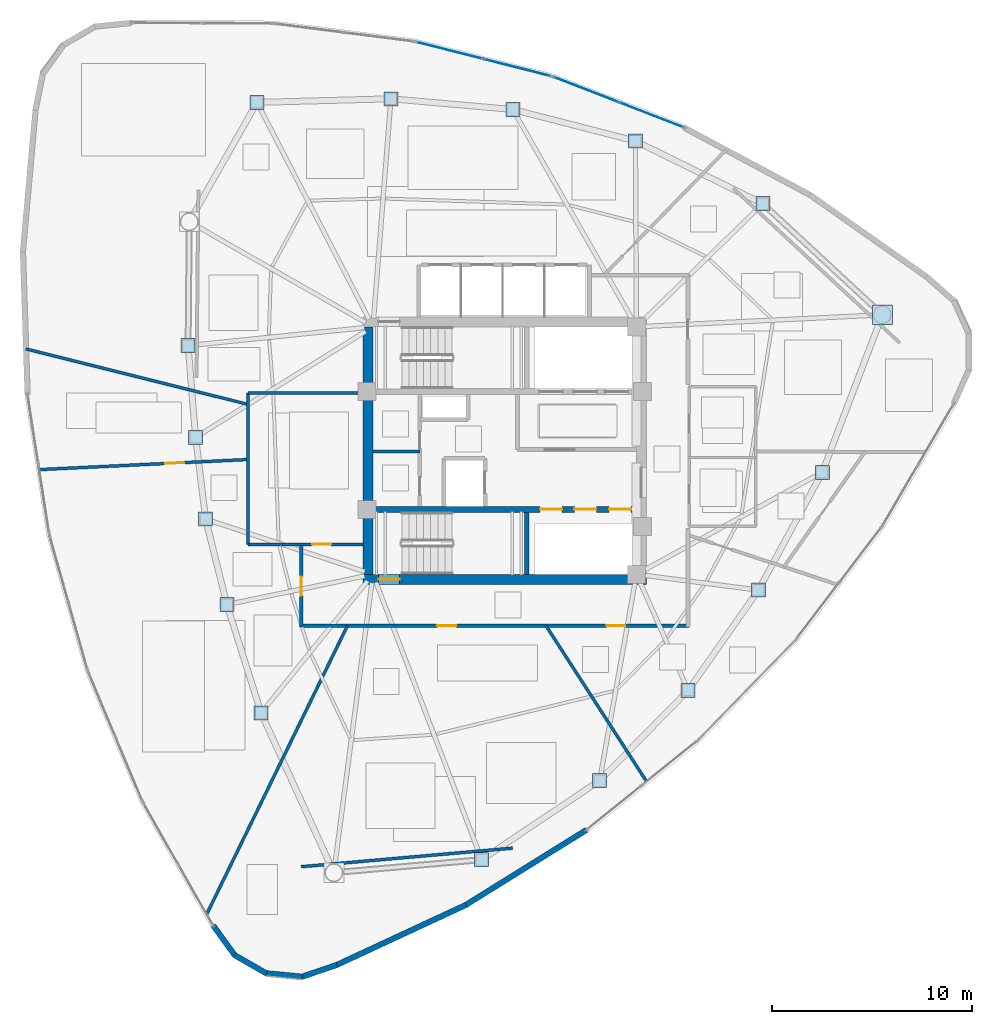
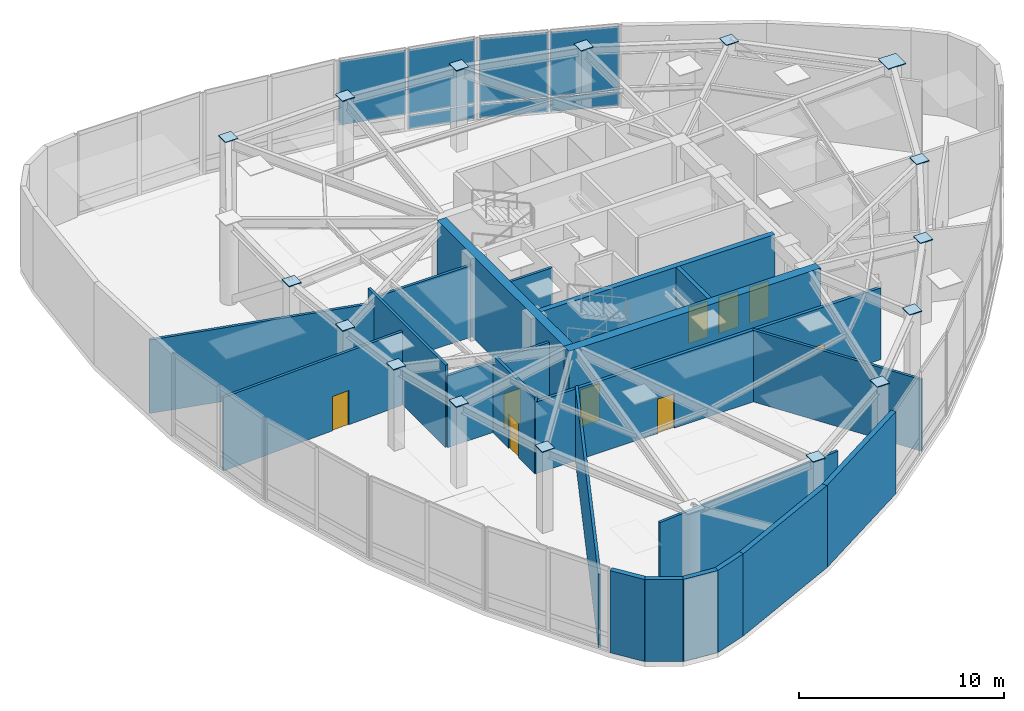
# One storey, part 8 of 12: 23 plates, 21 walls, 9 doors, 9 openings, 2 elements without a shape of their own.
"""IFC4 building model written with IfcOpenShell, lengths in metres."""

import ifcopenshell
import ifcopenshell.guid

model = None  # the IFC model being written
_history = None  # IfcOwnerHistory: only IFC2X3 demands one
_inside = {}  # id of a spatial element -> (the spatial element, [elements in it])
_under = {}  # id of a project, library or spatial element -> (it, [spatial elements below it])
_declared = {}  # id of a project -> (the project, [libraries it declares])
_typed = {}  # id of a type object -> (the type object, [elements of that type])
_made_of = {}  # id of a material, layer set ... -> (it, [elements and type objects made of it])


def new_model(schema):
    """Start an empty IFC model of exactly this schema.

    Asked for "IFC4X3", IfcOpenShell would pick the latest addendum, in which some entities
    have other attributes; the version numbers below select the first issue.
    IFC2X3 requires an IfcOwnerHistory on every rooted entity: one is made here for all.
    """
    global model, _history
    if schema == "IFC4X3":
        model = ifcopenshell.file(schema_version=(4, 3, 0, 0))
    else:
        model = ifcopenshell.file(schema=schema)
    _inside.clear()
    _under.clear()
    _declared.clear()
    _typed.clear()
    _made_of.clear()
    _history = None
    if model.schema == "IFC2X3":
        org = make("IfcOrganization", Name="unknown")
        user = make(
            "IfcPersonAndOrganization",
            ThePerson=make("IfcPerson", FamilyName="unknown"),
            TheOrganization=org,
        )
        app = make(
            "IfcApplication",
            ApplicationDeveloper=org,
            Version="unknown",
            ApplicationFullName="unknown",
            ApplicationIdentifier="unknown",
        )
        _history = make(
            "IfcOwnerHistory",
            OwningUser=user,
            OwningApplication=app,
            ChangeAction="ADDED",
            CreationDate=0,
        )
    return model


def make(cls, **values):
    """One entity of the class cls with the attributes given. An attribute that is None is left unset."""
    return model.create_entity(
        cls, **{name: value for name, value in values.items() if value is not None}
    )


def rooted(cls, **values):
    """An entity with a GlobalId (a new one), such as an element, a storey or a relation."""
    return make(cls, GlobalId=ifcopenshell.guid.new(), OwnerHistory=_history, **values)


def si_unit(unit_type, name, prefix=None):
    """IfcSIUnit, for example si_unit("LENGTHUNIT", "METRE", prefix="MILLI")."""
    return make("IfcSIUnit", UnitType=unit_type, Prefix=prefix, Name=name)


def assignment(units):
    """IfcUnitAssignment: the units of a project."""
    return None if units is None else make("IfcUnitAssignment", Units=units)


def point(xyz):
    """IfcCartesianPoint."""
    return None if xyz is None else make("IfcCartesianPoint", Coordinates=xyz)


def direction(xyz):
    """IfcDirection."""
    return None if xyz is None else make("IfcDirection", DirectionRatios=xyz)


def frame(location, z_axis=None, x_axis=None):
    """IfcAxis2Placement3D, a coordinate frame: its origin and axes. An axis left out is left unset."""
    return make(
        "IfcAxis2Placement3D",
        Location=point(location),
        Axis=direction(z_axis),
        RefDirection=direction(x_axis),
    )


def frame_2d(location, x_axis=None):
    """IfcAxis2Placement2D, a coordinate frame in the plane: its origin and x axis."""
    return make(
        "IfcAxis2Placement2D", Location=point(location), RefDirection=direction(x_axis)
    )


def origin():
    """The frame at (0, 0, 0) with its axes left unset."""
    return frame((0.0, 0.0, 0.0))


def origin_2d():
    """The frame at (0, 0) in the plane with its x axis left unset."""
    return frame_2d((0.0, 0.0))


def place(relative_to, where):
    """IfcLocalPlacement: puts the frame where relative to a parent placement (None: the world)."""
    return make(
        "IfcLocalPlacement", PlacementRelTo=relative_to, RelativePlacement=where
    )


def context(
    kind, dimensions, precision=None, world=None, true_north=None, identifier=None
):
    """IfcGeometricRepresentationContext, for example the 3D "Model" context."""
    return make(
        "IfcGeometricRepresentationContext",
        ContextIdentifier=identifier,
        ContextType=kind,
        CoordinateSpaceDimension=dimensions,
        Precision=precision,
        WorldCoordinateSystem=world,
        TrueNorth=true_north,
    )


def subcontext(parent, identifier, kind, view, scale=None):
    """IfcGeometricRepresentationSubContext, for example "Body" below "Model"."""
    return make(
        "IfcGeometricRepresentationSubContext",
        ContextIdentifier=identifier,
        ContextType=kind,
        ParentContext=parent,
        TargetScale=scale,
        TargetView=view,
    )


def project(units=None, contexts=None):
    """IfcProject with its units and contexts."""
    return rooted(
        "IfcProject",
        Name="project",
        RepresentationContexts=contexts,
        UnitsInContext=assignment(units),
    )


def spatial(cls, under=None, at=None, **own):
    """A site, building, storey or space (cls), placed at a placement, below another one or the project."""
    s = rooted(cls, ObjectPlacement=at, **own)
    if under is not None:
        _under.setdefault(under.id(), (under, []))[1].append(s)
    return s


def profile(cls, at=None, kind="AREA", **sizes):
    """A parametric profile (cls). Its sizes go by their IFC names, for example OverallWidth=200.0."""
    return make(cls, ProfileType=kind, Position=at, **sizes)


def rectangle(**sizes):
    """IfcRectangleProfileDef."""
    return profile("IfcRectangleProfileDef", **sizes)


def extrude(swept, where, along, depth):
    """IfcExtrudedAreaSolid: the profile swept, set in the frame where, extruded along a direction by depth."""
    return make(
        "IfcExtrudedAreaSolid",
        SweptArea=swept,
        Position=where,
        ExtrudedDirection=direction(along),
        Depth=depth,
    )


def shape(context_of_items, identifier, shape_type, items):
    """IfcShapeRepresentation: the items that make up one representation, for example the "Body"."""
    return make(
        "IfcShapeRepresentation",
        ContextOfItems=context_of_items,
        RepresentationIdentifier=identifier,
        RepresentationType=shape_type,
        Items=items,
    )


def source(mapping_origin, context_of_items, identifier, shape_type, items):
    """IfcRepresentationMap: a shape defined once, which mapped items show again and again."""
    return make(
        "IfcRepresentationMap",
        MappingOrigin=mapping_origin,
        MappedRepresentation=shape(context_of_items, identifier, shape_type, items),
    )


def transform(
    local_origin,
    x_axis=None,
    y_axis=None,
    z_axis=None,
    scale=None,
    scale2=None,
    scale3=None,
    uniform=True,
):
    """IfcCartesianTransformationOperator3D, or its non-uniform kind. x_axis, y_axis, z_axis: its Axis1, 2, 3."""
    if uniform:
        return make(
            "IfcCartesianTransformationOperator3D",
            Axis1=direction(x_axis),
            Axis2=direction(y_axis),
            LocalOrigin=point(local_origin),
            Scale=scale,
            Axis3=direction(z_axis),
        )
    return make(
        "IfcCartesianTransformationOperator3DnonUniform",
        Axis1=direction(x_axis),
        Axis2=direction(y_axis),
        LocalOrigin=point(local_origin),
        Scale=scale,
        Axis3=direction(z_axis),
        Scale2=scale2,
        Scale3=scale3,
    )


def mapped(mapping_source, mapping_target):
    """IfcMappedItem: shows the shape of a source again, moved by a transform."""
    return make(
        "IfcMappedItem", MappingSource=mapping_source, MappingTarget=mapping_target
    )


def material(Name=None, Category=None):
    """IfcMaterial."""
    return make("IfcMaterial", Name=Name, Category=Category)


def layer(
    of_material, thickness, ventilated=None, Name=None, Category=None, Priority=None
):
    """IfcMaterialLayer: one layer of a wall or slab, of a material (None: an air gap)."""
    return make(
        "IfcMaterialLayer",
        Material=of_material,
        LayerThickness=thickness,
        IsVentilated=ventilated,
        Name=Name,
        Category=Category,
        Priority=Priority,
    )


def layer_set(layers, Name=None):
    """IfcMaterialLayerSet."""
    return make("IfcMaterialLayerSet", MaterialLayers=layers, LayerSetName=Name)


def made_of(thing, what):
    """Note that an element or type object is made of a material, layer set ...; save() writes the relation."""
    if what is not None:
        _made_of.setdefault(what.id(), (what, []))[1].append(thing)
    return thing


def type_object(cls, material=None, **own):
    """A type object (cls), such as IfcWallType, which elements share."""
    return made_of(rooted(cls, **own), material)


def type_shapes(of_type, sources):
    """Give a type object the sources (RepresentationMaps) that its elements show as mapped items."""
    of_type.RepresentationMaps = sources


def element(
    cls,
    number,
    at=None,
    inside=None,
    cuts=None,
    type_object=None,
    material=None,
    context=None,
    identifier="Body",
    shape_type=None,
    held_by="IfcProductDefinitionShape",
    body=None,
    shapes=None,
    **own,
):
    """One element of the class cls, such as IfcWall. Its Tag is "e" and its number.

    at: its placement. inside: the storey or other place that contains it. cuts: it is an
    opening in that element (IfcRelVoidsElement). A single representation is given by context,
    identifier, shape_type and body (its items); several are given by shapes. held_by: the class
    of the entity that holds the representations. save() writes the other relations.
    """
    e = rooted(cls, Tag="e%d" % number, ObjectPlacement=at, **own)
    if body is not None:
        shapes = [shape(context, identifier, shape_type, body)]
    if shapes is not None:
        e.Representation = make(held_by, Representations=shapes)
    if inside is not None:
        _inside.setdefault(inside.id(), (inside, []))[1].append(e)
    if cuts is not None:
        rooted(
            "IfcRelVoidsElement", RelatingBuildingElement=cuts, RelatedOpeningElement=e
        )
    if type_object is not None:
        _typed.setdefault(type_object.id(), (type_object, []))[1].append(e)
    return made_of(e, material)


def fill(opening, filler):
    """IfcRelFillsElement: the door or window that sits in an opening."""
    return rooted(
        "IfcRelFillsElement",
        RelatingOpeningElement=opening,
        RelatedBuildingElement=filler,
    )


def aggregate(whole, parts):
    """IfcRelAggregates: a whole, such as a stair, and the parts it consists of."""
    return rooted("IfcRelAggregates", RelatingObject=whole, RelatedObjects=parts)


def save(model, path):
    """Write the relations noted so far, then the file.

    IfcRelAggregates (storeys below a building ...), IfcRelContainedInSpatialStructure (elements
    in a storey), IfcRelDefinesByType, IfcRelAssociatesMaterial and IfcRelDeclares: one each for
    every whole, place, type object, material and project.
    """
    for whole, parts in _under.values():
        aggregate(whole, parts)
    for where, things in _inside.values():
        rooted(
            "IfcRelContainedInSpatialStructure",
            RelatedElements=things,
            RelatingStructure=where,
        )
    for kind, things in _typed.values():
        rooted("IfcRelDefinesByType", RelatedObjects=things, RelatingType=kind)
    for what, things in _made_of.values():
        rooted("IfcRelAssociatesMaterial", RelatedObjects=things, RelatingMaterial=what)
    for by, libraries in _declared.values():
        rooted("IfcRelDeclares", RelatingContext=by, RelatedDefinitions=libraries)
    model.write(path)


model = new_model("IFC4")

# Units and contexts
model_context = context("Model", 3, precision=1e-05, world=origin(), true_north=direction((0.0, 1.0)))
body_context = subcontext(model_context, "Body", "Model", "MODEL_VIEW")
ifc_project = project(units=[si_unit("LENGTHUNIT", "METRE"), si_unit("AREAUNIT", "SQUARE_METRE"), si_unit("VOLUMEUNIT", "CUBIC_METRE"), si_unit("PLANEANGLEUNIT", "RADIAN"), si_unit("MASSUNIT", "GRAM", prefix="KILO")], contexts=[model_context])

# Site, building, storey
site_placement = place(None, origin())
site = spatial("IfcSite", under=ifc_project, at=site_placement, CompositionType="ELEMENT")
building_placement = place(site_placement, origin())
building = spatial("IfcBuilding", under=site, at=building_placement, Name="Tavelor Broadcast Tower", CompositionType="ELEMENT")
storey_placement = place(building_placement, frame((0.0, 0.0, 216.949951171875)))
storey = spatial("IfcBuildingStorey", under=building, at=storey_placement, Name="L51", CompositionType="ELEMENT", Elevation=216.949951171875)

# Plates
ifc_material_1 = material(Name="Steel S460", Category="steel")
ifc_layer_1 = layer(ifc_material_1, 0.050048828125)
ifc_layer_set_1 = layer_set([ifc_layer_1], Name="Steel S460")
plate_type_1 = type_object("IfcPlateType", Name="Tube Hollow-End Cap Plate KN05 700x700x50", PredefinedType="USERDEFINED", material=ifc_layer_set_1)
shared_shape_1 = source(origin(), body_context, "Body", "SweptSolid", [
    extrude(rectangle(XDim=0.699951171875, YDim=0.699951171875, at=origin_2d()), origin(), (0.0, 0.0, 1.0), 0.054931640625),
])
for number, where, z_axis, x_axis, name in (
    (1, (34.13720703125, 50.255859375, 4.87255859375), (0.0, 0.0, 1.0), (1.0, 0.0, 0.0), "L51 Hollow End Cap Plate KN05 #1507"),
    (2, (34.513671875, 45.66455078125, 4.87255859375), (0.0, 0.0, 1.0), (1.0, 0.0, 0.0), "L51 Hollow End Cap Plate KN05 #1508"),
    (3, (35.018798828125, 41.56396484375, 4.87255859375), (0.0, 0.0, 1.0), (1.0, 0.0, 0.0), "L51 Hollow End Cap Plate KN05 #1509"),
    (4, (36.08349609375, 37.2822265625, 4.87255859375), (0.0, 0.0, 1.0), (1.0, 0.0, 0.0), "L51 Hollow End Cap Plate KN05 #1510"),
    (5, (37.797119140625, 31.853271484375, 4.87255859375), (0.0, 0.0, 1.0), (1.0, 0.0, 0.0), "L51 Hollow End Cap Plate KN05 #1511"),
    (6, (48.843994140625, 24.5048828125, 4.87255859375), (0.0, 0.0, 1.0), (1.0, 0.0, 0.0), "L51 Hollow End Cap Plate KN05 #1514"),
    (7, (54.754150390625, 28.461669921875, 4.87255859375), (0.0, 0.0, 1.0), (1.0, 0.0, 0.0), "L51 Hollow End Cap Plate KN05 #1515"),
    (8, (59.1923828125, 32.987060546875, 4.87255859375), (0.0, 0.0, 1.0), (1.0, 0.0, 0.0), "L51 Hollow End Cap Plate KN05 #1516"),
    (9, (62.7109375, 38.009033203125, 4.87255859375), (0.0, 0.0, 1.0), (1.0, 0.0, 0.0), "L51 Hollow End Cap Plate KN05 #1517"),
    (10, (65.9072265625, 43.909423828125, 4.87255859375), (0.0, 0.0, 1.0), (1.0, 0.0, 0.0), "L51 Hollow End Cap Plate KN05 #1518"),
    (11, (62.92724609375, 57.364013671875, 4.87255859375), (0.0, 0.0, 1.0), (1.0, 0.0, 0.0), "L51 Hollow End Cap Plate KN05 #1520"),
    (12, (56.545654296875, 60.504150390625, 4.87255859375), (0.0, 0.0, 1.0), (1.0, 0.0, 0.0), "L51 Hollow End Cap Plate KN05 #1521"),
    (13, (50.4072265625, 62.0849609375, 4.87255859375), (0.0, 0.0, 1.0), (1.0, 0.0, 0.0), "L51 Hollow End Cap Plate KN05 #1522"),
    (14, (44.298828125, 62.621337890625, 4.87255859375), (0.0, 0.0, 1.0), (1.0, 0.0, 0.0), "L51 Hollow End Cap Plate KN05 #1523"),
    (15, (37.5908203125, 62.439208984375, 4.87255859375), (0.0, 0.0, 1.0), (1.0, 0.0, 0.0), "L51 Hollow End Cap Plate KN05 #1524"),
):
    element("IfcPlate", number, at=place(storey_placement, frame(where, z_axis=z_axis, x_axis=x_axis)), inside=storey, type_object=plate_type_1, Name=name, ObjectType="CAP PLATE", PredefinedType="USERDEFINED", context=body_context, shape_type="MappedRepresentation", body=[
        mapped(shared_shape_1, transform((0.0, 0.0, 0.0), scale=1.0)),
    ])
shared_shape_2 = source(origin(), body_context, "Body", "SweptSolid", [
    extrude(rectangle(XDim=0.993896484375, YDim=0.993896484375, at=origin_2d()), origin(), (0.0, 0.0, 1.0), 0.054931640625),
])
type_shapes(plate_type_1, [shared_shape_1, shared_shape_2])
plate_1_placement = place(storey_placement, frame((68.919677734375, 51.799072265625, 4.87255859375), z_axis=(0.0, 0.0, 1.0), x_axis=(1.0, 0.0, 0.0)))
element("IfcPlate", 16, at=plate_1_placement, inside=storey, type_object=plate_type_1, Name="L51 Hollow End Cap Plate KN05 #1519", ObjectType="CAP PLATE", PredefinedType="USERDEFINED", context=body_context, shape_type="MappedRepresentation", body=[
    mapped(shared_shape_2, transform((0.0, 0.0, 0.0), scale=1.0)),
])

# Curtain wall, plates
ifc_material_2 = material(Name="Architectural Anodized Aluminium", Category="aluminium")
ifc_layer_2 = layer(ifc_material_2, 0.239990234375)
ifc_layer_set_2 = layer_set([ifc_layer_2], Name="Architectural Anodized Aluminium")
curtain_wall_type = type_object("IfcCurtainWallType", Name="Sky Lobby Feature Structural Curtain Wall CW05", PredefinedType="NOTDEFINED", material=ifc_layer_set_2)
curtain_wall_1_placement = place(storey_placement, origin())
curtain_wall_1 = element("IfcCurtainWall", 17, at=curtain_wall_1_placement, inside=storey, type_object=curtain_wall_type, Name="L51 Curtain Wall CW05 Run 549", PredefinedType="NOTDEFINED")
ifc_material_3 = material(Name="Ultra-Clear Structural Glazing 38 mm", Category="glass")
ifc_layer_3 = layer(ifc_material_3, 0.0380859375)
ifc_layer_set_3 = layer_set([ifc_layer_3], Name="Ultra-Clear Structural Glazing 38 mm")
plate_type_2 = type_object("IfcPlateType", Name="CW05 Insulated Vision Glazing Panel 38 mm", PredefinedType="CURTAIN_PANEL", material=ifc_layer_set_3)
shared_shape_3 = source(origin(), body_context, "Body", "SweptSolid", [
    extrude(rectangle(XDim=3.431884765625, YDim=0.0380859375, at=origin_2d()), origin(), (0.0, 0.0, 1.0), 0.830078125),
])
plate_2_placement = place(storey_placement, frame((57.34326171875, 61.814453125, 0.080078125), z_axis=(0.0, 0.0, 1.0), x_axis=(-0.932478334353, 0.361225907102, 0.0)))
plate_2 = element("IfcPlate", 18, at=plate_2_placement, type_object=plate_type_2, Name="CW05 panel 1.1", PredefinedType="CURTAIN_PANEL", context=body_context, shape_type="MappedRepresentation", body=[
    mapped(shared_shape_3, transform((0.0, 0.0, 0.0), scale=1.0)),
])
plate_3_placement = place(storey_placement, frame((54.068603515625, 63.0830078125, 0.080078125), z_axis=(0.0, 0.0, 1.0), x_axis=(-0.932478334353, 0.361225907102, 0.0)))
plate_3 = element("IfcPlate", 19, at=plate_3_placement, type_object=plate_type_2, Name="CW05 panel 2.1", PredefinedType="CURTAIN_PANEL", context=body_context, shape_type="MappedRepresentation", body=[
    mapped(shared_shape_3, transform((0.0, 0.0, 0.0), scale=1.0)),
])
shared_shape_4 = source(origin(), body_context, "Body", "SweptSolid", [
    extrude(rectangle(XDim=3.431884765625, YDim=0.0380859375, at=origin_2d()), origin(), (0.0, 0.0, 1.0), 3.830078125),
])
plate_4_placement = place(storey_placement, frame((57.34326171875, 61.814453125, 0.989990234375), z_axis=(0.0, 0.0, 1.0), x_axis=(-0.932478334353, 0.361225907102, 0.0)))
plate_4 = element("IfcPlate", 20, at=plate_4_placement, type_object=plate_type_2, Name="CW05 panel 1.2", PredefinedType="CURTAIN_PANEL", context=body_context, shape_type="MappedRepresentation", body=[
    mapped(shared_shape_4, transform((0.0, 0.0, 0.0), scale=1.0)),
])
plate_5_placement = place(storey_placement, frame((54.068603515625, 63.0830078125, 0.989990234375), z_axis=(0.0, 0.0, 1.0), x_axis=(-0.932478334353, 0.361225907102, 0.0)))
plate_5 = element("IfcPlate", 21, at=plate_5_placement, type_object=plate_type_2, Name="CW05 panel 2.2", PredefinedType="CURTAIN_PANEL", context=body_context, shape_type="MappedRepresentation", body=[
    mapped(shared_shape_4, transform((0.0, 0.0, 0.0), scale=1.0)),
])
aggregate(curtain_wall_1, [plate_2, plate_4, plate_3, plate_5])

curtain_wall_2_placement = place(storey_placement, origin())
curtain_wall_2 = element("IfcCurtainWall", 22, at=curtain_wall_2_placement, inside=storey, type_object=curtain_wall_type, Name="L51 Curtain Wall CW05 Run 550", PredefinedType="NOTDEFINED")
shared_shape_5 = source(origin(), body_context, "Body", "SweptSolid", [
    extrude(rectangle(XDim=3.42431640625, YDim=0.0380859375, at=origin_2d()), origin(), (0.0, 0.0, 1.0), 0.830078125),
])
plate_6_placement = place(storey_placement, frame((50.6279296875, 64.181396484375, 0.080078125), z_axis=(0.0, 0.0, 1.0), x_axis=(-0.969339814509, 0.245724081049, 0.0)))
plate_6 = element("IfcPlate", 23, at=plate_6_placement, type_object=plate_type_2, Name="CW05 panel 1.1", PredefinedType="CURTAIN_PANEL", context=body_context, shape_type="MappedRepresentation", body=[
    mapped(shared_shape_5, transform((0.0, 0.0, 0.0), scale=1.0)),
])
shared_shape_6 = source(origin(), body_context, "Body", "SweptSolid", [
    extrude(rectangle(XDim=3.42431640625, YDim=0.0380859375, at=origin_2d()), origin(), (0.0, 0.0, 1.0), 3.830078125),
])
type_shapes(plate_type_2, [shared_shape_3, shared_shape_4, shared_shape_5, shared_shape_6])
plate_7_placement = place(storey_placement, frame((50.6279296875, 64.181396484375, 0.989990234375), z_axis=(0.0, 0.0, 1.0), x_axis=(-0.969339814509, 0.245724081049, 0.0)))
plate_7 = element("IfcPlate", 24, at=plate_7_placement, type_object=plate_type_2, Name="CW05 panel 1.2", PredefinedType="CURTAIN_PANEL", context=body_context, shape_type="MappedRepresentation", body=[
    mapped(shared_shape_6, transform((0.0, 0.0, 0.0), scale=1.0)),
])
plate_8_placement = place(storey_placement, frame((47.23095703125, 65.04248046875, 0.989990234375), z_axis=(0.0, 0.0, 1.0), x_axis=(-0.969339814509, 0.245724081049, 0.0)))
plate_8 = element("IfcPlate", 25, at=plate_8_placement, type_object=plate_type_2, Name="CW05 panel 2.2", PredefinedType="CURTAIN_PANEL", context=body_context, shape_type="MappedRepresentation", body=[
    mapped(shared_shape_6, transform((0.0, 0.0, 0.0), scale=1.0)),
])
aggregate(curtain_wall_2, [plate_6, plate_7, plate_8])

# Wall, opening, door
ifc_material_4 = material(Name="Concrete C50/60", Category="concrete")
ifc_layer_4 = layer(ifc_material_4, 0.5)
ifc_layer_set_4 = layer_set([ifc_layer_4], Name="Concrete C50/60")
wall_type_1 = type_object("IfcWallType", Name="Core Shear Wall 500 mm", PredefinedType="SHEAR", material=ifc_layer_set_4)
wall_1_placement = place(storey_placement, frame((42.89990234375, 38.550048828125, 0.0), z_axis=(0.0, 0.0, 1.0), x_axis=(1.0, 0.0, 0.0)))
wall_1 = element("IfcWall", 26, at=wall_1_placement, inside=storey, type_object=wall_type_1, Name="L51 Central Core Shear Wall S", PredefinedType="SHEAR", context=body_context, shape_type="SweptSolid", body=[
    extrude(rectangle(XDim=14.2001953125, YDim=0.5, at=frame_2d((7.10009765625, 0.0))), origin(), (0.0, 0.0, 1.0), 4.900146484375),
])
opening_1_placement = place(wall_1_placement, frame((0.780029296875, 0.0, 0.0)))
opening_1 = element("IfcOpeningElement", 27, at=opening_1_placement, cuts=wall_1, Name="Opening DR11", PredefinedType="OPENING", context=body_context, shape_type="SweptSolid", body=[
    extrude(rectangle(XDim=1.050048828125, YDim=2.199951171875, at=frame_2d((0.52490234375, 1.10009765625))), frame((0.0, 0.260009765625, 0.0), z_axis=(0.0, -1.0, 0.0), x_axis=(1.0, 0.0, 0.0)), (0.0, 0.0, 1.0), 0.52001953125),
])
ifc_material_5 = material(Name="Steel S355", Category="steel")
door_type_1 = type_object("IfcDoorType", Name="Stair Core Fire Escape Door 1050x2200", OperationType="NOTDEFINED", PredefinedType="DOOR", material=ifc_material_5)
door_1_placement = place(opening_1_placement, origin())
door_1 = element("IfcDoor", 28, at=door_1_placement, inside=storey, type_object=door_type_1, Name="L51 Stair ST2 Protected Exit Door", OperationType="SINGLE_SWING_RIGHT", OverallHeight=2.199951171875, OverallWidth=1.050048828125, PredefinedType="DOOR", context=body_context, shape_type="SweptSolid", body=[
    extrude(rectangle(XDim=1.050048828125, YDim=2.199951171875, at=frame_2d((0.52490234375, 1.10009765625))), frame((0.0, 0.02490234375, 0.0), z_axis=(0.0, -1.0, 0.0), x_axis=(1.0, 0.0, 0.0)), (0.0, 0.0, 1.0), 0.050048828125),
])
fill(opening_1, door_1)

# Wall
wall_2_placement = place(storey_placement, frame((43.14990234375, 38.800048828125, 0.0), z_axis=(0.0, 0.0, 1.0), x_axis=(0.0, 1.0, 0.0)))
element("IfcWall", 29, at=wall_2_placement, inside=storey, type_object=wall_type_1, Name="L51 Central Core Shear Wall W", PredefinedType="SHEAR", context=body_context, shape_type="SweptSolid", body=[
    extrude(rectangle(XDim=12.39990234375, YDim=0.5, at=frame_2d((6.199951171875, 0.0))), origin(), (0.0, 0.0, 1.0), 4.900146484375),
])

# Wall, openings, doors
ifc_layer_5 = layer(ifc_material_4, 0.300048828125)
ifc_layer_set_5 = layer_set([ifc_layer_5], Name="Concrete C50/60")
wall_type_2 = type_object("IfcWallType", Name="Core Spine Shear Wall 300 mm C50", PredefinedType="SHEAR", material=ifc_layer_set_5)
wall_3_placement = place(storey_placement, frame((43.39990234375, 42.050048828125, 0.0), z_axis=(0.0, 0.0, 1.0), x_axis=(1.0, 0.0, 0.0)))
wall_3 = element("IfcWall", 30, at=wall_3_placement, inside=storey, type_object=wall_type_2, Name="L51 Central Core Shear Wall SP2", PredefinedType="SHEAR", context=body_context, shape_type="SweptSolid", body=[
    extrude(rectangle(XDim=13.2001953125, YDim=0.300048828125, at=frame_2d((6.60009765625, 0.0))), origin(), (0.0, 0.0, 1.0), 4.900146484375),
])
opening_2_placement = place(wall_3_placement, frame((8.3701171875, 0.0, 0.0)))
opening_2 = element("IfcOpeningElement", 31, at=opening_2_placement, cuts=wall_3, Name="Opening LD01", PredefinedType="OPENING", context=body_context, shape_type="SweptSolid", body=[
    extrude(rectangle(XDim=1.10009765625, YDim=2.14990234375, at=frame_2d((0.550048828125, 1.074951171875))), frame((0.0, 0.16015625, 0.0), z_axis=(0.0, -1.0, 0.0), x_axis=(1.0, 0.0, 0.0)), (0.0, 0.0, 1.0), 0.320068359375),
])
opening_3_placement = place(wall_3_placement, frame((10.090087890625, 0.0, 0.0)))
opening_3 = element("IfcOpeningElement", 32, at=opening_3_placement, cuts=wall_3, Name="Opening LD01", PredefinedType="OPENING", context=body_context, shape_type="SweptSolid", body=[
    extrude(rectangle(XDim=1.10009765625, YDim=2.14990234375, at=frame_2d((0.550048828125, 1.074951171875))), frame((0.0, 0.16015625, 0.0), z_axis=(0.0, -1.0, 0.0), x_axis=(1.0, 0.0, 0.0)), (0.0, 0.0, 1.0), 0.320068359375),
])
opening_4_placement = place(wall_3_placement, frame((11.830078125, 0.0, 0.0)))
opening_4 = element("IfcOpeningElement", 33, at=opening_4_placement, cuts=wall_3, Name="Opening LD01", PredefinedType="OPENING", context=body_context, shape_type="SweptSolid", body=[
    extrude(rectangle(XDim=1.10009765625, YDim=2.14990234375, at=frame_2d((0.550048828125, 1.074951171875))), frame((0.0, 0.16015625, 0.0), z_axis=(0.0, -1.0, 0.0), x_axis=(1.0, 0.0, 0.0)), (0.0, 0.0, 1.0), 0.320068359375),
])
ifc_material_6 = material(Name="Brushed Stainless Steel", Category="steel")
door_type_2 = type_object("IfcDoorType", Name="Passenger Lift Sliding Landing Door 1100x2150", OperationType="NOTDEFINED", PredefinedType="DOOR", material=ifc_material_6)
door_2_placement = place(opening_2_placement, origin())
door_2 = element("IfcDoor", 34, at=door_2_placement, inside=storey, type_object=door_type_2, Name="L51 Lift PLM1 Sliding Landing Door", OperationType="SLIDING_TO_LEFT", OverallHeight=2.14990234375, OverallWidth=1.10009765625, PredefinedType="DOOR", context=body_context, shape_type="SweptSolid", body=[
    extrude(rectangle(XDim=1.10009765625, YDim=2.14990234375, at=frame_2d((0.550048828125, 1.074951171875))), frame((0.0, 0.02490234375, 0.0), z_axis=(0.0, -1.0, 0.0), x_axis=(1.0, 0.0, 0.0)), (0.0, 0.0, 1.0), 0.050048828125),
])
fill(opening_2, door_2)
door_3_placement = place(opening_3_placement, origin())
door_3 = element("IfcDoor", 35, at=door_3_placement, inside=storey, type_object=door_type_2, Name="L51 Lift PLM2 Sliding Landing Door", OperationType="SLIDING_TO_LEFT", OverallHeight=2.14990234375, OverallWidth=1.10009765625, PredefinedType="DOOR", context=body_context, shape_type="SweptSolid", body=[
    extrude(rectangle(XDim=1.10009765625, YDim=2.14990234375, at=frame_2d((0.550048828125, 1.074951171875))), frame((0.0, 0.02490234375, 0.0), z_axis=(0.0, -1.0, 0.0), x_axis=(1.0, 0.0, 0.0)), (0.0, 0.0, 1.0), 0.050048828125),
])
fill(opening_3, door_3)
door_4_placement = place(opening_4_placement, origin())
door_4 = element("IfcDoor", 36, at=door_4_placement, inside=storey, type_object=door_type_2, Name="L51 Lift PLM3 Sliding Landing Door", OperationType="SLIDING_TO_LEFT", OverallHeight=2.14990234375, OverallWidth=1.10009765625, PredefinedType="DOOR", context=body_context, shape_type="SweptSolid", body=[
    extrude(rectangle(XDim=1.10009765625, YDim=2.14990234375, at=frame_2d((0.550048828125, 1.074951171875))), frame((0.0, 0.02490234375, 0.0), z_axis=(0.0, -1.0, 0.0), x_axis=(1.0, 0.0, 0.0)), (0.0, 0.0, 1.0), 0.050048828125),
])
fill(opening_4, door_4)

ifc_material_7 = material(Name="Calcium Silicate Fire Board 180 mm", Category="gypsum")
ifc_layer_6 = layer(ifc_material_7, 0.179931640625)
ifc_layer_set_6 = layer_set([ifc_layer_6], Name="Calcium Silicate Fire Board 180 mm")
wall_type_3 = type_object("IfcWallType", Name="Fire-Rated Corridor Partition Wall 180 mm", PredefinedType="PARTITIONING", material=ifc_layer_set_6)
wall_4_placement = place(storey_placement, frame((59.22998046875, 36.219970703125, 0.0), z_axis=(0.0, 0.0, 1.0), x_axis=(-1.0, 0.0, 0.0)))
wall_4 = element("IfcWall", 37, at=wall_4_placement, inside=storey, type_object=wall_type_3, Name="L51 Corridor Compartment Wall 04", PredefinedType="PARTITIONING", context=body_context, shape_type="SweptSolid", body=[
    extrude(rectangle(XDim=19.47998046875, YDim=0.179931640625, at=frame_2d((9.739990234375, 0.0))), origin(), (0.0, 0.0, 1.0), 4.275146484375),
])
opening_5_placement = place(wall_4_placement, frame((3.180419921875, 0.0, 0.0)))
opening_5 = element("IfcOpeningElement", 38, at=opening_5_placement, cuts=wall_4, Name="Opening DR18", PredefinedType="OPENING", context=body_context, shape_type="SweptSolid", body=[
    extrude(rectangle(XDim=0.949951171875, YDim=2.050048828125, at=frame_2d((0.47509765625, 1.02490234375))), frame((0.0, 0.10009765625, 0.0), z_axis=(0.0, -1.0, 0.0), x_axis=(1.0, 0.0, 0.0)), (0.0, 0.0, 1.0), 0.199951171875),
])
opening_6_placement = place(wall_4_placement, frame((11.65380859375, 0.0, 0.0)))
opening_6 = element("IfcOpeningElement", 39, at=opening_6_placement, cuts=wall_4, Name="Opening DR18", PredefinedType="OPENING", context=body_context, shape_type="SweptSolid", body=[
    extrude(rectangle(XDim=0.949951171875, YDim=2.050048828125, at=frame_2d((0.47509765625, 1.02490234375))), frame((0.0, 0.10009765625, 0.0), z_axis=(0.0, -1.0, 0.0), x_axis=(1.0, 0.0, 0.0)), (0.0, 0.0, 1.0), 0.199951171875),
])
ifc_material_8 = material(Name="Timber Solid Core Hardwood", Category="wood")
door_type_3 = type_object("IfcDoorType", Name="Corridor Rated Compartment Door 950x2050", OperationType="NOTDEFINED", PredefinedType="DOOR", material=ifc_material_8)
door_5_placement = place(opening_5_placement, origin())
door_5 = element("IfcDoor", 40, at=door_5_placement, inside=storey, type_object=door_type_3, Name="L51 Broadcast Concierge Desk Door R2", OperationType="SINGLE_SWING_LEFT", OverallHeight=2.050048828125, OverallWidth=0.949951171875, PredefinedType="DOOR", context=body_context, shape_type="SweptSolid", body=[
    extrude(rectangle(XDim=0.949951171875, YDim=2.050048828125, at=frame_2d((0.47509765625, 1.02490234375))), frame((0.0, 0.02490234375, 0.0), z_axis=(0.0, -1.0, 0.0), x_axis=(1.0, 0.0, 0.0)), (0.0, 0.0, 1.0), 0.050048828125),
])
fill(opening_5, door_5)
door_6_placement = place(opening_6_placement, origin())
door_6 = element("IfcDoor", 41, at=door_6_placement, inside=storey, type_object=door_type_3, Name="L51 Talent Concierge Desk Door R3", OperationType="SINGLE_SWING_RIGHT", OverallHeight=2.050048828125, OverallWidth=0.949951171875, PredefinedType="DOOR", context=body_context, shape_type="SweptSolid", body=[
    extrude(rectangle(XDim=0.949951171875, YDim=2.050048828125, at=frame_2d((0.47509765625, 1.02490234375))), frame((0.0, 0.02490234375, 0.0), z_axis=(0.0, -1.0, 0.0), x_axis=(1.0, 0.0, 0.0)), (0.0, 0.0, 1.0), 0.050048828125),
])
fill(opening_6, door_6)

# Wall, opening, door
wall_5_placement = place(storey_placement, frame((39.800048828125, 36.169921875, 0.0), z_axis=(0.0, 0.0, 1.0), x_axis=(0.0, 1.0, 0.0)))
wall_5 = element("IfcWall", 42, at=wall_5_placement, inside=storey, type_object=wall_type_3, Name="L51 Corridor Compartment Wall 05", PredefinedType="PARTITIONING", context=body_context, shape_type="SweptSolid", body=[
    extrude(rectangle(XDim=4.080078125, YDim=0.179931640625, at=frame_2d((2.0400390625, 0.0))), origin(), (0.0, 0.0, 1.0), 4.574951171875),
])
opening_7_placement = place(wall_5_placement, frame((1.56494140625, 0.0, 0.0)))
opening_7 = element("IfcOpeningElement", 43, at=opening_7_placement, cuts=wall_5, Name="Opening DR18", PredefinedType="OPENING", context=body_context, shape_type="SweptSolid", body=[
    extrude(rectangle(XDim=0.949951171875, YDim=2.050048828125, at=frame_2d((0.47509765625, 1.02490234375))), frame((0.0, 0.10009765625, 0.0), z_axis=(0.0, -1.0, 0.0), x_axis=(1.0, 0.0, 0.0)), (0.0, 0.0, 1.0), 0.199951171875),
])
door_7_placement = place(opening_7_placement, origin())
door_7 = element("IfcDoor", 44, at=door_7_placement, inside=storey, type_object=door_type_3, Name="L51 Visitor Reception Desk Door R4", OperationType="SINGLE_SWING_LEFT", OverallHeight=2.050048828125, OverallWidth=0.949951171875, PredefinedType="DOOR", context=body_context, shape_type="SweptSolid", body=[
    extrude(rectangle(XDim=0.949951171875, YDim=2.050048828125, at=frame_2d((0.47509765625, 1.02490234375))), frame((0.0, 0.02490234375, 0.0), z_axis=(0.0, -1.0, 0.0), x_axis=(1.0, 0.0, 0.0)), (0.0, 0.0, 1.0), 0.050048828125),
])
fill(opening_7, door_7)

# Walls
ifc_material_9 = material(Name="Precast Concrete C40/50", Category="concrete")
ifc_layer_7 = layer(ifc_material_9, 0.280029296875)
ifc_layer_set_7 = layer_set([ifc_layer_7], Name="Precast Concrete C40/50")
wall_type_4 = type_object("IfcWallType", Name="Insulated Precast Terracotta Facade Wall 280 mm", PredefinedType="STANDARD", material=ifc_layer_set_7)
wall_6_placement = place(storey_placement, frame((35.391357421875, 21.21044921875, 0.0), z_axis=(0.0, 0.0, 1.0), x_axis=(0.585721048236, -0.810512710359, 0.0)))
element("IfcWall", 45, at=wall_6_placement, inside=storey, type_object=wall_type_4, Name="L51 Rounded Corner Structural Cladding Pier 11", PredefinedType="STANDARD", context=body_context, shape_type="SweptSolid", body=[
    extrude(rectangle(XDim=1.856201171875, YDim=0.280029296875, at=frame_2d((0.92822265625, 0.0))), origin(), (0.0, 0.0, 1.0), 4.900146484375),
])
for number, where, z_axis, x_axis, name in (
    (46, (36.45654296875, 19.7255859375, 0.0), (0.0, 0.0, 1.0), (0.867362085305, -0.497677619525, 0.0), "L51 Rounded Corner Structural Cladding Pier 12"),
    (47, (38.0283203125, 18.816650390625, 0.0), (0.0, 0.0, 1.0), (0.995308578032, -0.096751405657, 0.0), "L51 Rounded Corner Structural Cladding Pier 13"),
):
    element("IfcWall", number, at=place(storey_placement, frame(where, z_axis=z_axis, x_axis=x_axis)), inside=storey, type_object=wall_type_4, Name=name, PredefinedType="STANDARD", context=body_context, shape_type="SweptSolid", body=[
        extrude(rectangle(XDim=1.844482421875, YDim=0.280029296875, at=frame_2d((0.92236328125, 0.0))), origin(), (0.0, 0.0, 1.0), 4.900146484375),
    ])
wall_7_placement = place(storey_placement, frame((39.835205078125, 18.634765625, 0.0), z_axis=(0.0, 0.0, 1.0), x_axis=(0.946889852701, 0.3215580925, 0.0)))
element("IfcWall", 48, at=wall_7_placement, inside=storey, type_object=wall_type_4, Name="L51 Rounded Corner Structural Cladding Pier 14", PredefinedType="STANDARD", context=body_context, shape_type="SweptSolid", body=[
    extrude(rectangle(XDim=1.866943359375, YDim=0.280029296875, at=frame_2d((0.93359375, 0.0))), origin(), (0.0, 0.0, 1.0), 4.900146484375),
])
wall_8_placement = place(storey_placement, frame((41.5751953125, 19.223876953125, 0.0), z_axis=(0.0, 0.0, 1.0), x_axis=(0.906871974089, 0.421406244154, 0.0)))
element("IfcWall", 49, at=wall_8_placement, inside=storey, type_object=wall_type_4, Name="L51 Rounded Corner Structural Cladding Pier 15", PredefinedType="STANDARD", context=body_context, shape_type="SweptSolid", body=[
    extrude(rectangle(XDim=7.149658203125, YDim=0.280029296875, at=frame_2d((3.57470703125, 0.0))), origin(), (0.0, 0.0, 1.0), 4.900146484375),
])
wall_9_placement = place(storey_placement, frame((48.032958984375, 22.22265625, 0.0), z_axis=(0.0, 0.0, 1.0), x_axis=(0.849208634316, 0.52805747358, 0.0)))
element("IfcWall", 50, at=wall_9_placement, inside=storey, type_object=wall_type_4, Name="L51 Rounded Corner Structural Cladding Pier 16", PredefinedType="STANDARD", context=body_context, shape_type="SweptSolid", body=[
    extrude(rectangle(XDim=7.137451171875, YDim=0.280029296875, at=frame_2d((3.56884765625, 0.0))), origin(), (0.0, 0.0, 1.0), 4.900146484375),
])
ifc_material_10 = material(Name="Gypsum Acoustic Plasterboard 150 mm", Category="gypsum")
ifc_layer_8 = layer(ifc_material_10, 0.14990234375)
ifc_layer_set_8 = layer_set([ifc_layer_8], Name="Gypsum Acoustic Plasterboard 150 mm")
wall_type_5 = type_object("IfcWallType", Name="Interior Acoustic Partition Wall 150 mm", PredefinedType="PARTITIONING", material=ifc_layer_set_8)
wall_10_placement = place(storey_placement, frame((43.39990234375, 44.949951171875, 0.0), z_axis=(0.0, 0.0, 1.0), x_axis=(1.0, 0.0, 0.0)))
element("IfcWall", 51, at=wall_10_placement, inside=storey, type_object=wall_type_5, Name="L51 Core Split Wall A", PredefinedType="PARTITIONING", context=body_context, shape_type="SweptSolid", body=[
    extrude(rectangle(XDim=2.35009765625, YDim=0.14990234375, at=frame_2d((1.175048828125, 0.0))), origin(), (0.0, 0.0, 1.0), 4.900146484375),
])
wall_11_placement = place(storey_placement, frame((39.807861328125, 24.15185546875, 0.0), z_axis=(0.0, 0.0, 1.0), x_axis=(0.996153584085, 0.087624408208, 0.0)))
element("IfcWall", 52, at=wall_11_placement, inside=storey, type_object=wall_type_5, Name="L51 Corner Tube Brace Furring Wall 2", PredefinedType="PARTITIONING", context=body_context, shape_type="SweptSolid", body=[
    extrude(rectangle(XDim=10.63232421875, YDim=0.14990234375, at=frame_2d((5.316162109375, 0.0))), origin(), (0.0, 0.0, 1.0), 4.385009765625),
])

# Wall, opening, door
wall_12_placement = place(storey_placement, frame((37.139892578125, 40.300048828125, 0.0), z_axis=(0.0, 0.0, 1.0), x_axis=(1.0, 0.0, 0.0)))
wall_12 = element("IfcWall", 53, at=wall_12_placement, inside=storey, type_object=wall_type_5, Name="L51 Reclaimed Shaft Pantry South Wall", PredefinedType="PARTITIONING", context=body_context, shape_type="SweptSolid", body=[
    extrude(rectangle(XDim=5.760009765625, YDim=0.14990234375, at=frame_2d((2.8798828125, 0.0))), origin(), (0.0, 0.0, 1.0), 4.275146484375),
])
opening_8_placement = place(wall_12_placement, frame((3.2099609375, 0.0, 0.0)))
opening_8 = element("IfcOpeningElement", 54, at=opening_8_placement, cuts=wall_12, Name="Opening DR18", PredefinedType="OPENING", context=body_context, shape_type="SweptSolid", body=[
    extrude(rectangle(XDim=0.949951171875, YDim=2.050048828125, at=frame_2d((0.47509765625, 1.02490234375))), frame((0.0, 0.0849609375, 0.0), z_axis=(0.0, -1.0, 0.0), x_axis=(1.0, 0.0, 0.0)), (0.0, 0.0, 1.0), 0.169921875),
])
door_8_placement = place(opening_8_placement, origin())
door_8 = element("IfcDoor", 55, at=door_8_placement, inside=storey, type_object=door_type_3, Name="L51 Broadcast IT Patch and Pantry Door", OperationType="SINGLE_SWING_LEFT", OverallHeight=2.050048828125, OverallWidth=0.949951171875, PredefinedType="DOOR", context=body_context, shape_type="SweptSolid", body=[
    extrude(rectangle(XDim=0.949951171875, YDim=2.050048828125, at=frame_2d((0.47509765625, 1.02490234375))), frame((0.0, 0.02490234375, 0.0), z_axis=(0.0, -1.0, 0.0), x_axis=(1.0, 0.0, 0.0)), (0.0, 0.0, 1.0), 0.050048828125),
])
fill(opening_8, door_8)

# Walls
wall_13_placement = place(storey_placement, frame((37.139892578125, 40.300048828125, 0.0), z_axis=(0.0, 0.0, 1.0), x_axis=(0.0, 1.0, 0.0)))
element("IfcWall", 56, at=wall_13_placement, inside=storey, type_object=wall_type_5, Name="L51 Reclaimed Shaft Pantry West Wall", PredefinedType="PARTITIONING", context=body_context, shape_type="SweptSolid", body=[
    extrude(rectangle(XDim=7.579833984375, YDim=0.14990234375, at=frame_2d((3.7900390625, 0.0))), origin(), (0.0, 0.0, 1.0), 4.900146484375),
])
wall_14_placement = place(storey_placement, frame((37.139892578125, 47.8798828125, 0.0), z_axis=(0.0, 0.0, 1.0), x_axis=(1.0, 0.0, 0.0)))
element("IfcWall", 57, at=wall_14_placement, inside=storey, type_object=wall_type_5, Name="L51 Reclaimed Shaft Pantry North Wall", PredefinedType="PARTITIONING", context=body_context, shape_type="SweptSolid", body=[
    extrude(rectangle(XDim=5.760009765625, YDim=0.14990234375, at=frame_2d((2.8798828125, 0.0))), origin(), (0.0, 0.0, 1.0), 4.275146484375),
])
wall_15_placement = place(storey_placement, frame((42.11767578125, 36.219970703125, 0.0), z_axis=(0.0, 0.0, 1.0), x_axis=(-0.438364723484, -0.898797179126, 0.0)))
element("IfcWall", 58, at=wall_15_placement, inside=storey, type_object=wall_type_5, Name="L51 Radial Compartment Wall 01", PredefinedType="PARTITIONING", context=body_context, shape_type="SweptSolid", body=[
    extrude(rectangle(XDim=16.0859375, YDim=0.14990234375, at=frame_2d((8.04296875, 0.0))), origin(), (0.0, 0.0, 1.0), 4.385009765625),
])
wall_16_placement = place(storey_placement, frame((52.06884765625, 36.219970703125, 0.0), z_axis=(0.0, 0.0, 1.0), x_axis=(0.542431242732, -0.840100200516, 0.0)))
element("IfcWall", 59, at=wall_16_placement, inside=storey, type_object=wall_type_5, Name="L51 Radial Compartment Wall 02", PredefinedType="PARTITIONING", context=body_context, shape_type="SweptSolid", body=[
    extrude(rectangle(XDim=9.29833984375, YDim=0.14990234375, at=frame_2d((4.649169921875, 0.0))), origin(), (0.0, 0.0, 1.0), 4.275146484375),
])
wall_17_placement = place(storey_placement, frame((37.080078125, 47.3271484375, 0.0), z_axis=(0.0, 0.0, 1.0), x_axis=(-0.970214185524, 0.242248703214, 0.0)))
element("IfcWall", 60, at=wall_17_placement, inside=storey, type_object=wall_type_5, Name="L51 Radial Compartment Wall 06", PredefinedType="PARTITIONING", context=body_context, shape_type="SweptSolid", body=[
    extrude(rectangle(XDim=11.412353515625, YDim=0.14990234375, at=frame_2d((5.7060546875, 0.0))), origin(), (0.0, 0.0, 1.0), 4.385009765625),
])

# Wall, opening, door
wall_18_placement = place(storey_placement, frame((37.080078125, 44.548583984375, 0.0), z_axis=(0.0, 0.0, 1.0), x_axis=(-0.998828037423, -0.048399913813, 0.0)))
wall_18 = element("IfcWall", 61, at=wall_18_placement, inside=storey, type_object=wall_type_5, Name="L51 Radial Compartment Wall 07", PredefinedType="PARTITIONING", context=body_context, shape_type="SweptSolid", body=[
    extrude(rectangle(XDim=10.42138671875, YDim=0.14990234375, at=frame_2d((5.210693359375, 0.0))), origin(), (0.0, 0.0, 1.0), 4.385009765625),
])
opening_9_placement = place(wall_18_placement, frame((3.14990234375, 0.0, 0.0)))
opening_9 = element("IfcOpeningElement", 62, at=opening_9_placement, cuts=wall_18, Name="Opening DR18", PredefinedType="OPENING", context=body_context, shape_type="SweptSolid", body=[
    extrude(rectangle(XDim=0.949951171875, YDim=2.050048828125, at=frame_2d((0.47509765625, 1.02490234375))), frame((0.0, 0.0849609375, 0.0), z_axis=(0.0, -1.0, 0.0), x_axis=(1.0, 0.0, 0.0)), (0.0, 0.0, 1.0), 0.169921875),
])
door_9_placement = place(opening_9_placement, origin())
door_9 = element("IfcDoor", 63, at=door_9_placement, inside=storey, type_object=door_type_3, Name="L51 Suite Connecting Door 5", OperationType="SINGLE_SWING_RIGHT", OverallHeight=2.050048828125, OverallWidth=0.949951171875, PredefinedType="DOOR", context=body_context, shape_type="SweptSolid", body=[
    extrude(rectangle(XDim=0.949951171875, YDim=2.050048828125, at=frame_2d((0.47509765625, 1.02490234375))), frame((0.0, 0.02490234375, 0.0), z_axis=(0.0, -1.0, 0.0), x_axis=(1.0, 0.0, 0.0)), (0.0, 0.0, 1.0), 0.050048828125),
])
fill(opening_9, door_9)

# Wall
ifc_material_11 = material(Name="Concrete C40/50", Category="concrete")
ifc_layer_9 = layer(ifc_material_11, 0.219970703125)
ifc_layer_set_9 = layer_set([ifc_layer_9], Name="Concrete C40/50")
wall_type_6 = type_object("IfcWallType", Name="Structural Stairwell Shear Wall 220 mm", PredefinedType="SHEAR", material=ifc_layer_set_9)
wall_19_placement = place(storey_placement, frame((51.110107421875, 38.800048828125, 0.0), z_axis=(0.0, 0.0, 1.0), x_axis=(0.0, 1.0, 0.0)))
element("IfcWall", 64, at=wall_19_placement, inside=storey, type_object=wall_type_6, Name="L51 Stair ST2 Structural Shaft Wall", PredefinedType="SHEAR", context=body_context, shape_type="SweptSolid", body=[
    extrude(rectangle(XDim=3.099853515625, YDim=0.219970703125, at=frame_2d((1.5498046875, 0.0))), origin(), (0.0, 0.0, 1.0), 4.900146484375),
])

save(model, "model.ifc")
